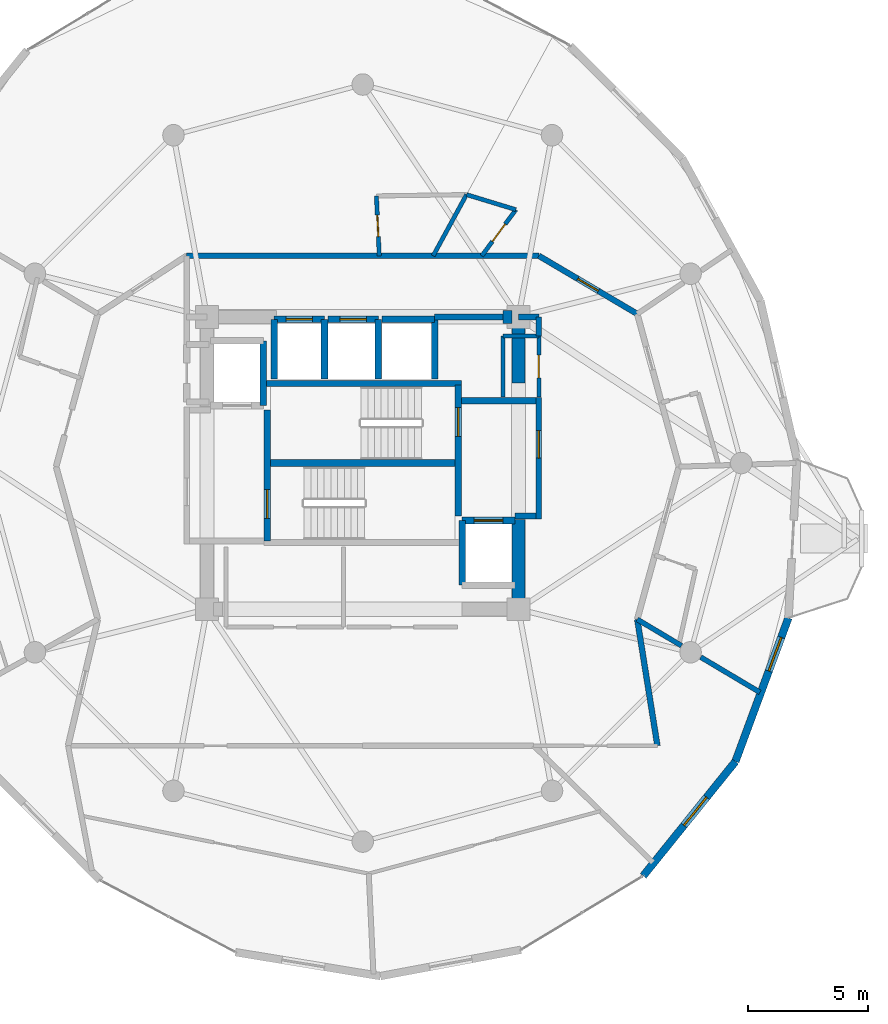
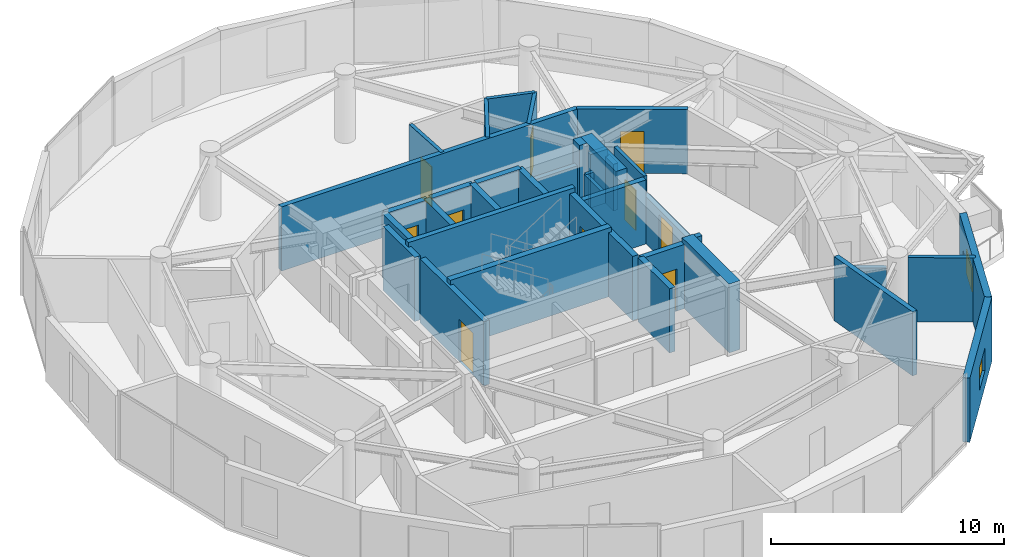
# One storey, part 18 of 21: 37 walls, 10 doors, 2 windows, 12 openings.
"""IFC4 building model written with IfcOpenShell, lengths in metres."""

from ifc_helpers import new_model, si_unit, direction, frame, frame_2d, origin, place, context, subcontext, project, spatial, rectangle, extrude, material, layer, layer_set, type_object, element, fill, save


model = new_model("IFC4")

# Units and contexts
model_context = context("Model", 3, precision=1e-05, world=origin(), true_north=direction((0.0, 1.0)))
body_context = subcontext(model_context, "Body", "Model", "MODEL_VIEW")
ifc_project = project(units=[si_unit("LENGTHUNIT", "METRE"), si_unit("AREAUNIT", "SQUARE_METRE"), si_unit("VOLUMEUNIT", "CUBIC_METRE"), si_unit("PLANEANGLEUNIT", "RADIAN"), si_unit("MASSUNIT", "GRAM", prefix="KILO")], contexts=[model_context])

# Site, building, storey
site_placement = place(None, origin())
site = spatial("IfcSite", under=ifc_project, at=site_placement, CompositionType="ELEMENT")
building_placement = place(site_placement, origin())
building = spatial("IfcBuilding", under=site, at=building_placement, Name="Solvirekh Grand Hotel", CompositionType="ELEMENT")
storey_placement = place(building_placement, frame((0.0, 0.0, 216.39990234375)))
storey = spatial("IfcBuildingStorey", under=building, at=storey_placement, Name="L56", CompositionType="ELEMENT", Elevation=216.39990234375)

# Wall
ifc_material_1 = material(Name="Concrete C50/60", Category="concrete")
ifc_layer_1 = layer(ifc_material_1, 0.35009765625)
ifc_layer_set_1 = layer_set([ifc_layer_1], Name="Concrete C50/60")
wall_type_1 = type_object("IfcWallType", Name="CoreDivWall_RC350", PredefinedType="SOLIDWALL", material=ifc_layer_set_1)
wall_1_placement = place(storey_placement, frame((-4.1298828125, 3.324951171875, 0.0), z_axis=(0.0, 0.0, 1.0), x_axis=(1.0, 0.0, 0.0)))
element("IfcWall", 1, at=wall_1_placement, inside=storey, type_object=wall_type_1, Name="L56 core stair box wall ST-N", PredefinedType="SOLIDWALL", context=body_context, shape_type="SweptSolid", body=[
    extrude(rectangle(XDim=8.259765625, YDim=0.25, at=frame_2d((4.1298828125, 0.0))), origin(), (0.0, 0.0, 1.0), 3.60009765625),
])

# Wall, opening, door
ifc_material_2 = material(Name="Concrete C40/50", Category="concrete")
ifc_layer_2 = layer(ifc_material_2, 0.280029296875)
ifc_layer_set_2 = layer_set([ifc_layer_2], Name="Concrete C40/50")
wall_type_2 = type_object("IfcWallType", Name="CoreShaftWall_RC280", PredefinedType="SOLIDWALL", material=ifc_layer_set_2)
wall_2_placement = place(storey_placement, frame((-1.60009765625, 6.0, 0.0), z_axis=(0.0, 0.0, 1.0), x_axis=(-1.0, 0.0, 0.0)))
wall_2 = element("IfcWall", 2, at=wall_2_placement, inside=storey, type_object=wall_type_2, Name="L56 HP-1 hoistway N wall", PredefinedType="SOLIDWALL", context=body_context, shape_type="SweptSolid", body=[
    extrude(rectangle(XDim=2.099853515625, YDim=0.280029296875, at=frame_2d((1.0498046875, 0.0))), origin(), (0.0, 0.0, 1.0), 3.360107421875),
])
opening_1_placement = place(wall_2_placement, frame((0.5, 0.0, 0.0)))
opening_1 = element("IfcOpeningElement", 3, at=opening_1_placement, cuts=wall_2, Name="Opening LD01", PredefinedType="OPENING", context=body_context, shape_type="SweptSolid", body=[
    extrude(rectangle(XDim=1.10009765625, YDim=2.199951171875, at=frame_2d((0.550048828125, 1.10009765625))), frame((0.0, 0.14990234375, 0.0), z_axis=(0.0, -1.0, 0.0), x_axis=(1.0, 0.0, 0.0)), (0.0, 0.0, 1.0), 0.300048828125),
])
ifc_material_3 = material(Name="Fire-Rated Steel Door Assembly", Category="steel")
door_type_1 = type_object("IfcDoorType", Name="Door_LiftLanding_1100X2200", OperationType="SLIDING_TO_LEFT", PredefinedType="DOOR", material=ifc_material_3)
door_1_placement = place(opening_1_placement, origin())
door_1 = element("IfcDoor", 4, at=door_1_placement, inside=storey, type_object=door_type_1, Name="L56 HP-1 sliding lift landing door", OperationType="SLIDING_TO_LEFT", OverallHeight=2.199951171875, OverallWidth=1.10009765625, PredefinedType="DOOR", context=body_context, shape_type="SweptSolid", body=[
    extrude(rectangle(XDim=1.10009765625, YDim=2.199951171875, at=frame_2d((0.550048828125, 1.10009765625))), frame((0.0, 0.02490234375, 0.0), z_axis=(0.0, -1.0, 0.0), x_axis=(1.0, 0.0, 0.0)), (0.0, 0.0, 1.0), 0.050048828125),
])
fill(opening_1, door_1)

# Walls
for number, where, z_axis, x_axis, name in (
    (5, (-3.699951171875, 6.0, 0.0), (0.0, 0.0, 1.0), (0.0, -1.0, 0.0), "L56 HP-1 hoistway W wall"),
    (6, (-1.60009765625, 3.5, 0.0), (0.0, 0.0, 1.0), (0.0, 1.0, 0.0), "L56 HP-1 hoistway E wall"),
):
    element("IfcWall", number, at=place(storey_placement, frame(where, z_axis=z_axis, x_axis=x_axis)), inside=storey, type_object=wall_type_2, Name=name, PredefinedType="SOLIDWALL", context=body_context, shape_type="SweptSolid", body=[
        extrude(rectangle(XDim=2.5, YDim=0.280029296875, at=frame_2d((1.25, 0.0))), origin(), (0.0, 0.0, 1.0), 3.360107421875),
    ])

# Wall, opening, door
wall_3_placement = place(storey_placement, frame((0.64990234375, 6.0, 0.0), z_axis=(0.0, 0.0, 1.0), x_axis=(-1.0, 0.0, 0.0)))
wall_3 = element("IfcWall", 7, at=wall_3_placement, inside=storey, type_object=wall_type_2, Name="L56 HP-2 hoistway N wall", PredefinedType="SOLIDWALL", context=body_context, shape_type="SweptSolid", body=[
    extrude(rectangle(XDim=2.099853515625, YDim=0.280029296875, at=frame_2d((1.0498046875, 0.0))), origin(), (0.0, 0.0, 1.0), 3.360107421875),
])
opening_2_placement = place(wall_3_placement, frame((0.5, 0.0, 0.0)))
opening_2 = element("IfcOpeningElement", 8, at=opening_2_placement, cuts=wall_3, Name="Opening LD01", PredefinedType="OPENING", context=body_context, shape_type="SweptSolid", body=[
    extrude(rectangle(XDim=1.10009765625, YDim=2.199951171875, at=frame_2d((0.550048828125, 1.10009765625))), frame((0.0, 0.14990234375, 0.0), z_axis=(0.0, -1.0, 0.0), x_axis=(1.0, 0.0, 0.0)), (0.0, 0.0, 1.0), 0.300048828125),
])
door_2_placement = place(opening_2_placement, origin())
door_2 = element("IfcDoor", 9, at=door_2_placement, inside=storey, type_object=door_type_1, Name="L56 HP-2 sliding lift landing door", OperationType="SLIDING_TO_LEFT", OverallHeight=2.199951171875, OverallWidth=1.10009765625, PredefinedType="DOOR", context=body_context, shape_type="SweptSolid", body=[
    extrude(rectangle(XDim=1.10009765625, YDim=2.199951171875, at=frame_2d((0.550048828125, 1.10009765625))), frame((0.0, 0.02490234375, 0.0), z_axis=(0.0, -1.0, 0.0), x_axis=(1.0, 0.0, 0.0)), (0.0, 0.0, 1.0), 0.050048828125),
])
fill(opening_2, door_2)

# Walls
wall_4_placement = place(storey_placement, frame((0.64990234375, 3.5, 0.0), z_axis=(0.0, 0.0, 1.0), x_axis=(0.0, 1.0, 0.0)))
element("IfcWall", 10, at=wall_4_placement, inside=storey, type_object=wall_type_2, Name="L56 HP-2 hoistway E wall", PredefinedType="SOLIDWALL", context=body_context, shape_type="SweptSolid", body=[
    extrude(rectangle(XDim=2.5, YDim=0.280029296875, at=frame_2d((1.25, 0.0))), origin(), (0.0, 0.0, 1.0), 3.360107421875),
])
wall_5_placement = place(storey_placement, frame((3.0, 6.0, 0.0), z_axis=(0.0, 0.0, 1.0), x_axis=(-1.0, 0.0, 0.0)))
element("IfcWall", 11, at=wall_5_placement, inside=storey, type_object=wall_type_2, Name="L56 EX-1 hoistway N wall", PredefinedType="SOLIDWALL", context=body_context, shape_type="SweptSolid", body=[
    extrude(rectangle(XDim=2.199951171875, YDim=0.280029296875, at=frame_2d((1.10009765625, 0.0))), origin(), (0.0, 0.0, 1.0), 3.360107421875),
])
wall_6_placement = place(storey_placement, frame((3.0, 3.5, 0.0), z_axis=(0.0, 0.0, 1.0), x_axis=(0.0, 1.0, 0.0)))
element("IfcWall", 12, at=wall_6_placement, inside=storey, type_object=wall_type_2, Name="L56 EX-1 hoistway E wall", PredefinedType="SOLIDWALL", context=body_context, shape_type="SweptSolid", body=[
    extrude(rectangle(XDim=2.5, YDim=0.280029296875, at=frame_2d((1.25, 0.0))), origin(), (0.0, 0.0, 1.0), 3.360107421875),
])
wall_7_placement = place(storey_placement, frame((-4.14990234375, 2.39990234375, 0.0), z_axis=(0.0, 0.0, 1.0), x_axis=(0.0, 1.0, 0.0)))
element("IfcWall", 13, at=wall_7_placement, inside=storey, type_object=wall_type_2, Name="L56 FL-1 hoistway E wall", PredefinedType="SOLIDWALL", context=body_context, shape_type="SweptSolid", body=[
    extrude(rectangle(XDim=2.7001953125, YDim=0.280029296875, at=frame_2d((1.35009765625, 0.0))), origin(), (0.0, 0.0, 1.0), 3.360107421875),
])

# Wall, opening, door
wall_8_placement = place(storey_placement, frame((6.35009765625, -2.39990234375, 0.0), z_axis=(0.0, 0.0, 1.0), x_axis=(-1.0, 0.0, 0.0)))
wall_8 = element("IfcWall", 14, at=wall_8_placement, inside=storey, type_object=wall_type_2, Name="L56 FL-2 hoistway N wall", PredefinedType="SOLIDWALL", context=body_context, shape_type="SweptSolid", body=[
    extrude(rectangle(XDim=2.2001953125, YDim=0.280029296875, at=frame_2d((1.10009765625, 0.0))), origin(), (0.0, 0.0, 1.0), 3.360107421875),
])
opening_3_placement = place(wall_8_placement, frame((0.5, 0.0, 0.0)))
opening_3 = element("IfcOpeningElement", 15, at=opening_3_placement, cuts=wall_8, Name="Opening LD02", PredefinedType="OPENING", context=body_context, shape_type="SweptSolid", body=[
    extrude(rectangle(XDim=1.199951171875, YDim=2.199951171875, at=frame_2d((0.60009765625, 1.10009765625))), frame((0.0, 0.14990234375, 0.0), z_axis=(0.0, -1.0, 0.0), x_axis=(1.0, 0.0, 0.0)), (0.0, 0.0, 1.0), 0.300048828125),
])
door_type_2 = type_object("IfcDoorType", Name="Door_LiftFF_1200X2200", OperationType="SLIDING_TO_LEFT", PredefinedType="DOOR", material=ifc_material_3)
door_3_placement = place(opening_3_placement, origin())
door_3 = element("IfcDoor", 16, at=door_3_placement, inside=storey, type_object=door_type_2, Name="L56 FL-2 sliding lift landing door", OperationType="SLIDING_TO_LEFT", OverallHeight=2.199951171875, OverallWidth=1.199951171875, PredefinedType="DOOR", context=body_context, shape_type="SweptSolid", body=[
    extrude(rectangle(XDim=1.199951171875, YDim=2.199951171875, at=frame_2d((0.60009765625, 1.10009765625))), frame((0.0, 0.02490234375, 0.0), z_axis=(0.0, -1.0, 0.0), x_axis=(1.0, 0.0, 0.0)), (0.0, 0.0, 1.0), 0.050048828125),
])
fill(opening_3, door_3)

# Wall
wall_9_placement = place(storey_placement, frame((4.14990234375, -2.39990234375, 0.0), z_axis=(0.0, 0.0, 1.0), x_axis=(0.0, -1.0, 0.0)))
element("IfcWall", 17, at=wall_9_placement, inside=storey, type_object=wall_type_2, Name="L56 FL-2 hoistway W wall", PredefinedType="SOLIDWALL", context=body_context, shape_type="SweptSolid", body=[
    extrude(rectangle(XDim=2.7001953125, YDim=0.280029296875, at=frame_2d((1.35009765625, 0.0))), origin(), (0.0, 0.0, 1.0), 3.360107421875),
])

# Wall, opening, door
wall_10_placement = place(storey_placement, frame((-3.989990234375, -3.25, 0.0), z_axis=(0.0, 0.0, 1.0), x_axis=(0.0, 1.0, 0.0)))
wall_10 = element("IfcWall", 18, at=wall_10_placement, inside=storey, type_object=wall_type_2, Name="L56 west stair landing enclosure wall", PredefinedType="SOLIDWALL", context=body_context, shape_type="SweptSolid", body=[
    extrude(rectangle(XDim=5.4599609375, YDim=0.280029296875, at=frame_2d((2.72998046875, 0.0))), origin(), (0.0, 0.0, 1.0), 3.360107421875),
])
opening_4_placement = place(wall_10_placement, frame((0.93701171875, 0.0, 0.0)))
opening_4 = element("IfcOpeningElement", 19, at=opening_4_placement, cuts=wall_10, Name="Opening D05", PredefinedType="OPENING", context=body_context, shape_type="SweptSolid", body=[
    extrude(rectangle(XDim=1.199951171875, YDim=2.199951171875, at=frame_2d((0.60009765625, 1.10009765625))), frame((0.0, 0.14990234375, 0.0), z_axis=(0.0, -1.0, 0.0), x_axis=(1.0, 0.0, 0.0)), (0.0, 0.0, 1.0), 0.300048828125),
])
door_type_3 = type_object("IfcDoorType", Name="Door_StairCore_1200X2200", OperationType="NOTDEFINED", PredefinedType="DOOR", material=ifc_material_3)
door_4_placement = place(opening_4_placement, origin())
door_4 = element("IfcDoor", 20, at=door_4_placement, inside=storey, type_object=door_type_3, Name="L56 exit stair ST-1 fire door", OperationType="SINGLE_SWING_LEFT", OverallHeight=2.199951171875, OverallWidth=1.199951171875, PredefinedType="DOOR", context=body_context, shape_type="SweptSolid", body=[
    extrude(rectangle(XDim=1.199951171875, YDim=2.199951171875, at=frame_2d((0.60009765625, 1.10009765625))), frame((0.0, 0.02490234375, 0.0), z_axis=(0.0, -1.0, 0.0), x_axis=(1.0, 0.0, 0.0)), (0.0, 0.0, 1.0), 0.050048828125),
])
fill(opening_4, door_4)

wall_11_placement = place(storey_placement, frame((3.989990234375, -2.2099609375, 0.0), z_axis=(0.0, 0.0, 1.0), x_axis=(0.0, 1.0, 0.0)))
wall_11 = element("IfcWall", 21, at=wall_11_placement, inside=storey, type_object=wall_type_2, Name="L56 east stair landing enclosure wall", PredefinedType="SOLIDWALL", context=body_context, shape_type="SweptSolid", body=[
    extrude(rectangle(XDim=5.4599609375, YDim=0.280029296875, at=frame_2d((2.72998046875, 0.0))), origin(), (0.0, 0.0, 1.0), 3.360107421875),
])
opening_5_placement = place(wall_11_placement, frame((3.322998046875, 0.0, 0.0)))
opening_5 = element("IfcOpeningElement", 22, at=opening_5_placement, cuts=wall_11, Name="Opening D05", PredefinedType="OPENING", context=body_context, shape_type="SweptSolid", body=[
    extrude(rectangle(XDim=1.199951171875, YDim=2.199951171875, at=frame_2d((0.60009765625, 1.10009765625))), frame((0.0, 0.14990234375, 0.0), z_axis=(0.0, -1.0, 0.0), x_axis=(1.0, 0.0, 0.0)), (0.0, 0.0, 1.0), 0.300048828125),
])
door_5_placement = place(opening_5_placement, origin())
door_5 = element("IfcDoor", 23, at=door_5_placement, inside=storey, type_object=door_type_3, Name="L56 exit stair ST-2 fire door", OperationType="SINGLE_SWING_RIGHT", OverallHeight=2.199951171875, OverallWidth=1.199951171875, PredefinedType="DOOR", context=body_context, shape_type="SweptSolid", body=[
    extrude(rectangle(XDim=1.199951171875, YDim=2.199951171875, at=frame_2d((0.60009765625, 1.10009765625))), frame((0.0, 0.02490234375, 0.0), z_axis=(0.0, -1.0, 0.0), x_axis=(1.0, 0.0, 0.0)), (0.0, 0.0, 1.0), 0.050048828125),
])
fill(opening_5, door_5)

# Walls
ifc_layer_3 = layer(ifc_material_1, 0.550048828125)
ifc_layer_set_3 = layer_set([ifc_layer_3], Name="Concrete C50/60")
wall_type_3 = type_object("IfcWallType", Name="CoreWall_RC550", PredefinedType="SHEAR", material=ifc_layer_set_3)
wall_12_placement = place(storey_placement, frame((-3.989990234375, 0.0, 0.0), z_axis=(0.0, 0.0, 1.0), x_axis=(1.0, 0.0, 0.0)))
element("IfcWall", 24, at=wall_12_placement, inside=storey, type_object=wall_type_3, Name="L56 central stair-spine shear wall", PredefinedType="SHEAR", context=body_context, shape_type="SweptSolid", body=[
    extrude(rectangle(XDim=7.97998046875, YDim=0.300048828125, at=frame_2d((3.989990234375, 0.0))), origin(), (0.0, 0.0, 1.0), 3.60009765625),
])
wall_13_placement = place(storey_placement, frame((5.85009765625, 6.10009765625, 0.0), z_axis=(0.0, 0.0, 1.0), x_axis=(1.0, 0.0, 0.0)))
element("IfcWall", 25, at=wall_13_placement, inside=storey, type_object=wall_type_3, Name="L56 core corner shear wall NE-N", PredefinedType="SHEAR", context=body_context, shape_type="SweptSolid", body=[
    extrude(rectangle(XDim=0.375, YDim=0.550048828125, at=frame_2d((0.1875, 0.0))), origin(), (0.0, 0.0, 1.0), 3.60009765625),
])
wall_14_placement = place(storey_placement, frame((6.5, -6.375, 0.0), z_axis=(0.0, 0.0, 1.0), x_axis=(0.0, 1.0, 0.0)))
element("IfcWall", 26, at=wall_14_placement, inside=storey, type_object=wall_type_3, Name="L56 core corner shear wall ES-E", PredefinedType="SHEAR", context=body_context, shape_type="SweptSolid", body=[
    extrude(rectangle(XDim=4.02490234375, YDim=0.550048828125, at=frame_2d((2.012451171875, 0.0))), origin(), (0.0, 0.0, 1.0), 3.60009765625),
])
wall_15_placement = place(storey_placement, frame((6.5, 3.35009765625, 0.0), z_axis=(0.0, 0.0, 1.0), x_axis=(0.0, 1.0, 0.0)))
element("IfcWall", 27, at=wall_15_placement, inside=storey, type_object=wall_type_3, Name="L56 core corner shear wall EN-E", PredefinedType="SHEAR", context=body_context, shape_type="SweptSolid", body=[
    extrude(rectangle(XDim=3.02490234375, YDim=0.550048828125, at=frame_2d((1.512451171875, 0.0))), origin(), (0.0, 0.0, 1.0), 3.60009765625),
])

# Wall, opening, window
ifc_material_4 = material(Name="Precast concrete C45/55", Category="concrete")
ifc_layer_4 = layer(ifc_material_4, 0.320068359375)
ifc_layer_set_4 = layer_set([ifc_layer_4], Name="Precast concrete C45/55")
wall_type_4 = type_object("IfcWallType", Name="ExtLobbyWall_RC320", PredefinedType="SOLIDWALL", material=ifc_layer_set_4)
wall_16_placement = place(storey_placement, frame((15.555908203125, -12.4599609375, 0.0), z_axis=(0.0, 0.0, 1.0), x_axis=(-0.627550861285, -0.778575568908, 0.0)))
wall_16 = element("IfcWall", 28, at=wall_16_placement, inside=storey, type_object=wall_type_4, Name="L56 cantilevered deck support wall chord 2", PredefinedType="SOLIDWALL", context=body_context, shape_type="SweptSolid", body=[
    extrude(rectangle(XDim=6.131591796875, YDim=0.320068359375, at=frame_2d((3.06591796875, 0.0))), origin(), (0.0, 0.0, 1.0), 3.360107421875),
])
opening_6_placement = place(wall_16_placement, frame((1.919921875, 0.0, 0.85009765625)))
opening_6 = element("IfcOpeningElement", 29, at=opening_6_placement, cuts=wall_16, Name="Opening W05", PredefinedType="OPENING", context=body_context, shape_type="SweptSolid", body=[
    extrude(rectangle(XDim=1.5, YDim=1.199951171875, at=frame_2d((0.75, 0.60009765625))), frame((0.0, 0.169921875, 0.0), z_axis=(0.0, -1.0, 0.0), x_axis=(1.0, 0.0, 0.0)), (0.0, 0.0, 1.0), 0.340087890625),
])
ifc_material_5 = material(Name="Low-E Tinted Bronze Laminated Glass", Category="aluminium")
window_type = type_object("IfcWindowType", Name="Win_PlantVent_1500X1200", PartitioningType="SINGLE_PANEL", PredefinedType="WINDOW", material=ifc_material_5)
window_1_placement = place(opening_6_placement, origin())
window_1 = element("IfcWindow", 30, at=window_1_placement, inside=storey, type_object=window_type, Name="L56 bronze-framed vision ribbon window 2", OverallHeight=1.199951171875, OverallWidth=1.5, PartitioningType="SINGLE_PANEL", PredefinedType="WINDOW", context=body_context, shape_type="SweptSolid", body=[
    extrude(rectangle(XDim=1.5, YDim=1.199951171875, at=frame_2d((0.75, 0.60009765625))), frame((0.0, 0.030029296875, 0.0), z_axis=(0.0, -1.0, 0.0), x_axis=(1.0, 0.0, 0.0)), (0.0, 0.0, 1.0), 0.06005859375),
])
fill(opening_6, window_1)

wall_17_placement = place(storey_placement, frame((17.76806640625, -6.466064453125, 0.0), z_axis=(0.0, 0.0, 1.0), x_axis=(-0.346240086065, -0.938145938968, 0.0)))
wall_17 = element("IfcWall", 31, at=wall_17_placement, inside=storey, type_object=wall_type_4, Name="L56 cantilevered deck support wall chord 3", PredefinedType="SOLIDWALL", context=body_context, shape_type="SweptSolid", body=[
    extrude(rectangle(XDim=6.38916015625, YDim=0.320068359375, at=frame_2d((3.194580078125, 0.0))), origin(), (0.0, 0.0, 1.0), 3.360107421875),
])
opening_7_placement = place(wall_17_placement, frame((0.863037109375, 0.0, 0.85009765625)))
opening_7 = element("IfcOpeningElement", 32, at=opening_7_placement, cuts=wall_17, Name="Opening W05", PredefinedType="OPENING", context=body_context, shape_type="SweptSolid", body=[
    extrude(rectangle(XDim=1.5, YDim=1.199951171875, at=frame_2d((0.75, 0.60009765625))), frame((0.0, 0.169921875, 0.0), z_axis=(0.0, -1.0, 0.0), x_axis=(1.0, 0.0, 0.0)), (0.0, 0.0, 1.0), 0.340087890625),
])
window_2_placement = place(opening_7_placement, origin())
window_2 = element("IfcWindow", 33, at=window_2_placement, inside=storey, type_object=window_type, Name="L56 bronze-framed vision ribbon window 3", OverallHeight=1.199951171875, OverallWidth=1.5, PartitioningType="SINGLE_PANEL", PredefinedType="WINDOW", context=body_context, shape_type="SweptSolid", body=[
    extrude(rectangle(XDim=1.5, YDim=1.199951171875, at=frame_2d((0.75, 0.60009765625))), frame((0.0, 0.030029296875, 0.0), z_axis=(0.0, -1.0, 0.0), x_axis=(1.0, 0.0, 0.0)), (0.0, 0.0, 1.0), 0.06005859375),
])
fill(opening_7, window_2)

# Wall, opening, door
ifc_material_6 = material(Name="Acoustic Gypsum Partition Assembly")
ifc_layer_5 = layer(ifc_material_6, 0.1650390625)
ifc_layer_set_5 = layer_set([ifc_layer_5], Name="Acoustic Gypsum Partition Assembly")
wall_type_5 = type_object("IfcWallType", Name="Part_BOH_165", PredefinedType="PARTITIONING", material=ifc_layer_set_5)
wall_18_placement = place(storey_placement, frame((7.35009765625, 2.75, 0.0), z_axis=(0.0, 0.0, 1.0), x_axis=(0.0, 1.0, 0.0)))
wall_18 = element("IfcWall", 34, at=wall_18_placement, inside=storey, type_object=wall_type_5, Name="L56 L56 Core Housekeeping & Linen Room wall 2", PredefinedType="PARTITIONING", context=body_context, shape_type="SweptSolid", body=[
    extrude(rectangle(XDim=2.550048828125, YDim=0.1650390625, at=frame_2d((1.27490234375, 0.0))), origin(), (0.0, 0.0, 1.0), 3.360107421875),
])
opening_8_placement = place(wall_18_placement, frame((0.800048828125, 0.0, 0.0)))
opening_8 = element("IfcOpeningElement", 35, at=opening_8_placement, cuts=wall_18, Name="Opening D10", PredefinedType="OPENING", context=body_context, shape_type="SweptSolid", body=[
    extrude(rectangle(XDim=0.949951171875, YDim=2.10009765625, at=frame_2d((0.47509765625, 1.050048828125))), frame((0.0, 0.092529296875, 0.0), z_axis=(0.0, -1.0, 0.0), x_axis=(1.0, 0.0, 0.0)), (0.0, 0.0, 1.0), 0.18505859375),
])
ifc_material_7 = material(Name="Anodized Bronze Aluminium 6063-T6", Category="aluminium")
door_type_4 = type_object("IfcDoorType", Name="Door_RoomInt_950X2100", OperationType="NOTDEFINED", PredefinedType="DOOR", material=ifc_material_7)
door_6_placement = place(opening_8_placement, origin())
door_6 = element("IfcDoor", 36, at=door_6_placement, inside=storey, type_object=door_type_4, Name="L56 L56 Core Housekeeping & Linen Room door", OperationType="SINGLE_SWING_RIGHT", OverallHeight=2.10009765625, OverallWidth=0.949951171875, PredefinedType="DOOR", context=body_context, shape_type="SweptSolid", body=[
    extrude(rectangle(XDim=0.949951171875, YDim=2.10009765625, at=frame_2d((0.47509765625, 1.050048828125))), frame((0.0, 0.02490234375, 0.0), z_axis=(0.0, -1.0, 0.0), x_axis=(1.0, 0.0, 0.0)), (0.0, 0.0, 1.0), 0.050048828125),
])
fill(opening_8, door_6)

# Walls
wall_19_placement = place(storey_placement, frame((7.35009765625, 5.300048828125, 0.0), z_axis=(0.0, 0.0, 1.0), x_axis=(-1.0, 0.0, 0.0)))
element("IfcWall", 37, at=wall_19_placement, inside=storey, type_object=wall_type_5, Name="L56 L56 Core Housekeeping & Linen Room wall 3", PredefinedType="PARTITIONING", context=body_context, shape_type="SweptSolid", body=[
    extrude(rectangle(XDim=1.5, YDim=0.1650390625, at=frame_2d((0.75, 0.0))), origin(), (0.0, 0.0, 1.0), 2.445068359375),
])
wall_20_placement = place(storey_placement, frame((5.85009765625, 5.300048828125, 0.0), z_axis=(0.0, 0.0, 1.0), x_axis=(0.0, -1.0, 0.0)))
element("IfcWall", 38, at=wall_20_placement, inside=storey, type_object=wall_type_5, Name="L56 L56 Core Housekeeping & Linen Room wall 4", PredefinedType="PARTITIONING", context=body_context, shape_type="SweptSolid", body=[
    extrude(rectangle(XDim=2.550048828125, YDim=0.1650390625, at=frame_2d((1.27490234375, 0.0))), origin(), (0.0, 0.0, 1.0), 2.445068359375),
])

# Wall, opening, door
ifc_layer_6 = layer(ifc_material_6, 0.239990234375)
ifc_layer_set_6 = layer_set([ifc_layer_6], Name="Acoustic Gypsum Partition Assembly")
wall_type_6 = type_object("IfcWallType", Name="Part_Corridor_240", PredefinedType="PARTITIONING", material=ifc_layer_set_6)
wall_21_placement = place(storey_placement, frame((7.35009765625, -2.340087890625, 0.0), z_axis=(0.0, 0.0, 1.0), x_axis=(0.0, 1.0, 0.0)))
wall_21 = element("IfcWall", 39, at=wall_21_placement, inside=storey, type_object=wall_type_6, Name="L56 east firefighting lobby smoke screen wall", PredefinedType="PARTITIONING", context=body_context, shape_type="SweptSolid", body=[
    extrude(rectangle(XDim=5.070068359375, YDim=0.239990234375, at=frame_2d((2.53515625, 0.0))), origin(), (0.0, 0.0, 1.0), 2.445068359375),
])
opening_9_placement = place(wall_21_placement, frame((2.548095703125, 0.0, 0.0)))
opening_9 = element("IfcOpeningElement", 40, at=opening_9_placement, cuts=wall_21, Name="Opening D06", PredefinedType="OPENING", context=body_context, shape_type="SweptSolid", body=[
    extrude(rectangle(XDim=1.14990234375, YDim=2.199951171875, at=frame_2d((0.574951171875, 1.10009765625))), frame((0.0, 0.1298828125, 0.0), z_axis=(0.0, -1.0, 0.0), x_axis=(1.0, 0.0, 0.0)), (0.0, 0.0, 1.0), 0.260009765625),
])
door_type_5 = type_object("IfcDoorType", Name="Door_FFLobby_1150X2200", OperationType="NOTDEFINED", PredefinedType="DOOR", material=ifc_material_3)
door_7_placement = place(opening_9_placement, origin())
door_7 = element("IfcDoor", 41, at=door_7_placement, inside=storey, type_object=door_type_5, Name="L56 east firefighting lobby smoke door", OperationType="SINGLE_SWING_RIGHT", OverallHeight=2.199951171875, OverallWidth=1.14990234375, PredefinedType="DOOR", context=body_context, shape_type="SweptSolid", body=[
    extrude(rectangle(XDim=1.14990234375, YDim=2.199951171875, at=frame_2d((0.574951171875, 1.10009765625))), frame((0.0, 0.02490234375, 0.0), z_axis=(0.0, -1.0, 0.0), x_axis=(1.0, 0.0, 0.0)), (0.0, 0.0, 1.0), 0.050048828125),
])
fill(opening_9, door_7)

# Walls
wall_22_placement = place(storey_placement, frame((-7.35009765625, 8.64990234375, 0.0), z_axis=(0.0, 0.0, 1.0), x_axis=(1.0, 0.0, 0.0)))
element("IfcWall", 42, at=wall_22_placement, inside=storey, type_object=wall_type_6, Name="L56 north lift lobby enclosure wall", PredefinedType="PARTITIONING", context=body_context, shape_type="SweptSolid", body=[
    extrude(rectangle(XDim=14.7001953125, YDim=0.239990234375, at=frame_2d((7.35009765625, 0.0))), origin(), (0.0, 0.0, 1.0), 3.360107421875),
])
wall_23_placement = place(storey_placement, frame((3.0, 6.10009765625, 0.0), z_axis=(0.0, 0.0, 1.0), x_axis=(1.0, 0.0, 0.0)))
element("IfcWall", 43, at=wall_23_placement, inside=storey, type_object=wall_type_6, Name="L56 north core shaft infill wall", PredefinedType="PARTITIONING", context=body_context, shape_type="SweptSolid", body=[
    extrude(rectangle(XDim=2.85009765625, YDim=0.239990234375, at=frame_2d((1.425048828125, 0.0))), origin(), (0.0, 0.0, 1.0), 2.445068359375),
])
wall_24_placement = place(storey_placement, frame((7.35009765625, 5.300048828125, 0.0), z_axis=(0.0, 0.0, 1.0), x_axis=(0.0, 1.0, 0.0)))
element("IfcWall", 44, at=wall_24_placement, inside=storey, type_object=wall_type_6, Name="L56 NE core cheek closure wall", PredefinedType="PARTITIONING", context=body_context, shape_type="SweptSolid", body=[
    extrude(rectangle(XDim=0.800048828125, YDim=0.239990234375, at=frame_2d((0.39990234375, 0.0))), origin(), (0.0, 0.0, 1.0), 2.445068359375),
])
wall_25_placement = place(storey_placement, frame((6.5, 6.10009765625, 0.0), z_axis=(0.0, 0.0, 1.0), x_axis=(1.0, 0.0, 0.0)))
element("IfcWall", 45, at=wall_25_placement, inside=storey, type_object=wall_type_6, Name="L56 NE core corner tie wall", PredefinedType="PARTITIONING", context=body_context, shape_type="SweptSolid", body=[
    extrude(rectangle(XDim=0.85009765625, YDim=0.239990234375, at=frame_2d((0.425048828125, 0.0))), origin(), (0.0, 0.0, 1.0), 2.801025390625),
])

# Wall, opening, door
wall_26_placement = place(storey_placement, frame((7.35009765625, 8.64990234375, 0.0), z_axis=(0.0, 0.0, 1.0), x_axis=(0.861164858472, -0.508325768118, 0.0)))
wall_26 = element("IfcWall", 46, at=wall_26_placement, inside=storey, type_object=wall_type_6, Name="L56 Deluxe Guestroom 5801 entrance wall", PredefinedType="PARTITIONING", context=body_context, shape_type="SweptSolid", body=[
    extrude(rectangle(XDim=4.770263671875, YDim=0.239990234375, at=frame_2d((2.38525390625, 0.0))), origin(), (0.0, 0.0, 1.0), 3.360107421875),
])
opening_10_placement = place(wall_26_placement, frame((1.885009765625, 0.0, 0.0)))
opening_10 = element("IfcOpeningElement", 47, at=opening_10_placement, cuts=wall_26, Name="Opening D07", PredefinedType="OPENING", context=body_context, shape_type="SweptSolid", body=[
    extrude(rectangle(XDim=1.0, YDim=2.199951171875, at=frame_2d((0.5, 1.10009765625))), frame((0.0, 0.1298828125, 0.0), z_axis=(0.0, -1.0, 0.0), x_axis=(1.0, 0.0, 0.0)), (0.0, 0.0, 1.0), 0.260009765625),
])
door_type_6 = type_object("IfcDoorType", Name="Door_GuestEntry_1000X2200", OperationType="NOTDEFINED", PredefinedType="DOOR", material=ifc_material_3)
door_8_placement = place(opening_10_placement, origin())
door_8 = element("IfcDoor", 48, at=door_8_placement, inside=storey, type_object=door_type_6, Name="L56 Deluxe Guestroom 5801 entrance door", OperationType="SINGLE_SWING_RIGHT", OverallHeight=2.199951171875, OverallWidth=1.0, PredefinedType="DOOR", context=body_context, shape_type="SweptSolid", body=[
    extrude(rectangle(XDim=1.0, YDim=2.199951171875, at=frame_2d((0.5, 1.10009765625))), frame((0.0, 0.02490234375, 0.0), z_axis=(0.0, -1.0, 0.0), x_axis=(1.0, 0.0, 0.0)), (0.0, 0.0, 1.0), 0.050048828125),
])
fill(opening_10, door_8)

# Walls
wall_27_placement = place(storey_placement, frame((12.300048828125, -11.800048828125, 0.0), z_axis=(0.0, 0.0, 1.0), x_axis=(-0.157628647668, 0.987498460472, 0.0)))
element("IfcWall", 49, at=wall_27_placement, inside=storey, type_object=wall_type_6, Name="L56 L56 Butler Valet & Linen Steward Room corridor wall 1", PredefinedType="PARTITIONING", context=body_context, shape_type="SweptSolid", body=[
    extrude(rectangle(XDim=5.342041015625, YDim=0.239990234375, at=frame_2d((2.6708984375, 0.0))), origin(), (0.0, 0.0, 1.0), 3.360107421875),
])
ifc_layer_7 = layer(ifc_material_6, 0.260009765625)
ifc_layer_set_7 = layer_set([ifc_layer_7], Name="Acoustic Gypsum Partition Assembly")
wall_type_7 = type_object("IfcWallType", Name="Part_LobbyFF_260", PredefinedType="PARTITIONING", material=ifc_layer_set_7)
wall_28_placement = place(storey_placement, frame((6.35009765625, -2.2099609375, 0.0), z_axis=(0.0, 0.0, 1.0), x_axis=(1.0, 0.0, 0.0)))
element("IfcWall", 50, at=wall_28_placement, inside=storey, type_object=wall_type_7, Name="L56 east firefighting lobby SE cheek", PredefinedType="PARTITIONING", context=body_context, shape_type="SweptSolid", body=[
    extrude(rectangle(XDim=0.875, YDim=0.260009765625, at=frame_2d((0.4375, 0.0))), origin(), (0.0, 0.0, 1.0), 3.360107421875),
])
wall_29_placement = place(storey_placement, frame((4.1298828125, 2.60009765625, 0.0), z_axis=(0.0, 0.0, 1.0), x_axis=(1.0, 0.0, 0.0)))
element("IfcWall", 51, at=wall_29_placement, inside=storey, type_object=wall_type_7, Name="L56 east firefighting lobby north partition", PredefinedType="PARTITIONING", context=body_context, shape_type="SweptSolid", body=[
    extrude(rectangle(XDim=3.09521484375, YDim=0.260009765625, at=frame_2d((1.547607421875, 0.0))), origin(), (0.0, 0.0, 1.0), 3.360107421875),
])
ifc_layer_8 = layer(ifc_material_6, 0.2099609375)
ifc_layer_set_8 = layer_set([ifc_layer_8], Name="Acoustic Gypsum Partition Assembly")
wall_type_8 = type_object("IfcWallType", Name="Part_SuiteDemise_210", PredefinedType="PARTITIONING", material=ifc_layer_set_8)
wall_30_placement = place(storey_placement, frame((11.4580078125, -6.52490234375, 0.0), z_axis=(0.0, 0.0, 1.0), x_axis=(0.859303593583, -0.511465867928, 0.0)))
element("IfcWall", 52, at=wall_30_placement, inside=storey, type_object=wall_type_8, Name="L56 suite radial wall 12 (A)", PredefinedType="PARTITIONING", context=body_context, shape_type="SweptSolid", body=[
    extrude(rectangle(XDim=2.14697265625, YDim=0.2099609375, at=frame_2d((1.073486328125, 0.0))), origin(), (0.0, 0.0, 1.0), 2.801025390625),
])
wall_31_placement = place(storey_placement, frame((14.10791015625, -8.10107421875, 0.0), z_axis=(0.0, 0.0, 1.0), x_axis=(0.859381683534, -0.511334647767, 0.0)))
element("IfcWall", 53, at=wall_31_placement, inside=storey, type_object=wall_type_8, Name="L56 suite radial wall 12 (B)", PredefinedType="PARTITIONING", context=body_context, shape_type="SweptSolid", body=[
    extrude(rectangle(XDim=2.876708984375, YDim=0.2099609375, at=frame_2d((1.4384765625, 0.0))), origin(), (0.0, 0.0, 1.0), 3.360107421875),
])
ifc_layer_9 = layer(ifc_material_6, 0.175048828125)
ifc_layer_set_9 = layer_set([ifc_layer_9], Name="Acoustic Gypsum Partition Assembly")
wall_type_9 = type_object("IfcWallType", Name="Plumb_Ensuite_175", PredefinedType="PLUMBINGWALL", material=ifc_layer_set_9)
wall_32_placement = place(storey_placement, frame((4.33203125, 11.2041015625, 0.0), z_axis=(0.0, 0.0, 1.0), x_axis=(0.956557161729, -0.291544844483, 0.0)))
element("IfcWall", 54, at=wall_32_placement, inside=storey, type_object=wall_type_9, Name="L56 En-suite Bathroom 5801 outer plumbing wall", PredefinedType="PLUMBINGWALL", context=body_context, shape_type="SweptSolid", body=[
    extrude(rectangle(XDim=2.154541015625, YDim=0.175048828125, at=frame_2d((1.0771484375, 0.0))), origin(), (0.0, 0.0, 1.0), 3.360107421875),
])
wall_33_placement = place(storey_placement, frame((4.33203125, 11.2041015625, 0.0), z_axis=(0.0, 0.0, 1.0), x_axis=(-0.47855808815, -0.878055895866, 0.0)))
element("IfcWall", 55, at=wall_33_placement, inside=storey, type_object=wall_type_9, Name="L56 En-suite Bathroom 5801 side plumbing wall", PredefinedType="PLUMBINGWALL", context=body_context, shape_type="SweptSolid", body=[
    extrude(rectangle(XDim=2.908935546875, YDim=0.175048828125, at=frame_2d((1.45458984375, 0.0))), origin(), (0.0, 0.0, 1.0), 3.360107421875),
])

# Wall, opening, door
wall_34_placement = place(storey_placement, frame((4.968994140625, 8.64990234375, 0.0), z_axis=(0.0, 0.0, 1.0), x_axis=(0.594522881491, 0.804078692283, 0.0)))
wall_34 = element("IfcWall", 56, at=wall_34_placement, inside=storey, type_object=wall_type_9, Name="L56 En-suite Bathroom 5801 entry plumbing wall", PredefinedType="PLUMBINGWALL", context=body_context, shape_type="SweptSolid", body=[
    extrude(rectangle(XDim=2.395263671875, YDim=0.175048828125, at=frame_2d((1.19775390625, 0.0))), origin(), (0.0, 0.0, 1.0), 3.360107421875),
])
opening_11_placement = place(wall_34_placement, frame((0.748046875, 0.0, 0.0)))
opening_11 = element("IfcOpeningElement", 57, at=opening_11_placement, cuts=wall_34, Name="Opening D09", PredefinedType="OPENING", context=body_context, shape_type="SweptSolid", body=[
    extrude(rectangle(XDim=0.89990234375, YDim=2.10009765625, at=frame_2d((0.449951171875, 1.050048828125))), frame((0.0, 0.09765625, 0.0), z_axis=(0.0, -1.0, 0.0), x_axis=(1.0, 0.0, 0.0)), (0.0, 0.0, 1.0), 0.195068359375),
])
door_type_7 = type_object("IfcDoorType", Name="Door_Ensuite_900X2100", OperationType="NOTDEFINED", PredefinedType="DOOR", material=ifc_material_7)
door_9_placement = place(opening_11_placement, origin())
door_9 = element("IfcDoor", 58, at=door_9_placement, inside=storey, type_object=door_type_7, Name="L56 En-suite Bathroom 5801 door", OperationType="SINGLE_SWING_LEFT", OverallHeight=2.10009765625, OverallWidth=0.89990234375, PredefinedType="DOOR", context=body_context, shape_type="SweptSolid", body=[
    extrude(rectangle(XDim=0.89990234375, YDim=2.10009765625, at=frame_2d((0.449951171875, 1.050048828125))), frame((0.0, 0.02490234375, 0.0), z_axis=(0.0, -1.0, 0.0), x_axis=(1.0, 0.0, 0.0)), (0.0, 0.0, 1.0), 0.050048828125),
])
fill(opening_11, door_9)

wall_35_placement = place(storey_placement, frame((0.570068359375, 11.14990234375, 0.0), z_axis=(0.0, 0.0, 1.0), x_axis=(0.04789419293, -0.998852414666, 0.0)))
wall_35 = element("IfcWall", 59, at=wall_35_placement, inside=storey, type_object=wall_type_9, Name="L56 En-suite Bathroom 5802 entry plumbing wall", PredefinedType="PLUMBINGWALL", context=body_context, shape_type="SweptSolid", body=[
    extrude(rectangle(XDim=2.5029296875, YDim=0.175048828125, at=frame_2d((1.25146484375, 0.0))), origin(), (0.0, 0.0, 1.0), 3.360107421875),
])
opening_12_placement = place(wall_35_placement, frame((0.801025390625, 0.0, 0.0)))
opening_12 = element("IfcOpeningElement", 60, at=opening_12_placement, cuts=wall_35, Name="Opening D09", PredefinedType="OPENING", context=body_context, shape_type="SweptSolid", body=[
    extrude(rectangle(XDim=0.89990234375, YDim=2.10009765625, at=frame_2d((0.449951171875, 1.050048828125))), frame((0.0, 0.09765625, 0.0), z_axis=(0.0, -1.0, 0.0), x_axis=(1.0, 0.0, 0.0)), (0.0, 0.0, 1.0), 0.195068359375),
])
door_10_placement = place(opening_12_placement, origin())
door_10 = element("IfcDoor", 61, at=door_10_placement, inside=storey, type_object=door_type_7, Name="L56 En-suite Bathroom 5802 door", OperationType="SINGLE_SWING_LEFT", OverallHeight=2.10009765625, OverallWidth=0.89990234375, PredefinedType="DOOR", context=body_context, shape_type="SweptSolid", body=[
    extrude(rectangle(XDim=0.89990234375, YDim=2.10009765625, at=frame_2d((0.449951171875, 1.050048828125))), frame((0.0, 0.02490234375, 0.0), z_axis=(0.0, -1.0, 0.0), x_axis=(1.0, 0.0, 0.0)), (0.0, 0.0, 1.0), 0.050048828125),
])
fill(opening_12, door_10)

save(model, "model.ifc")
